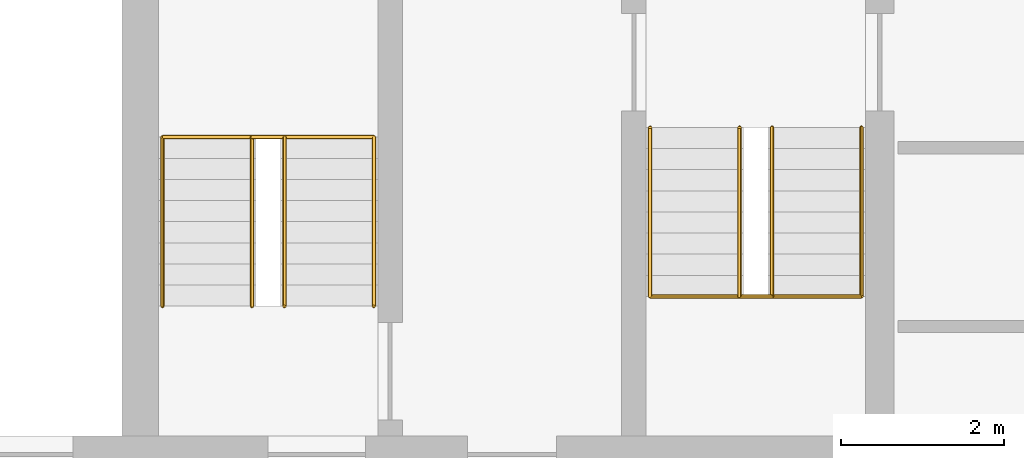
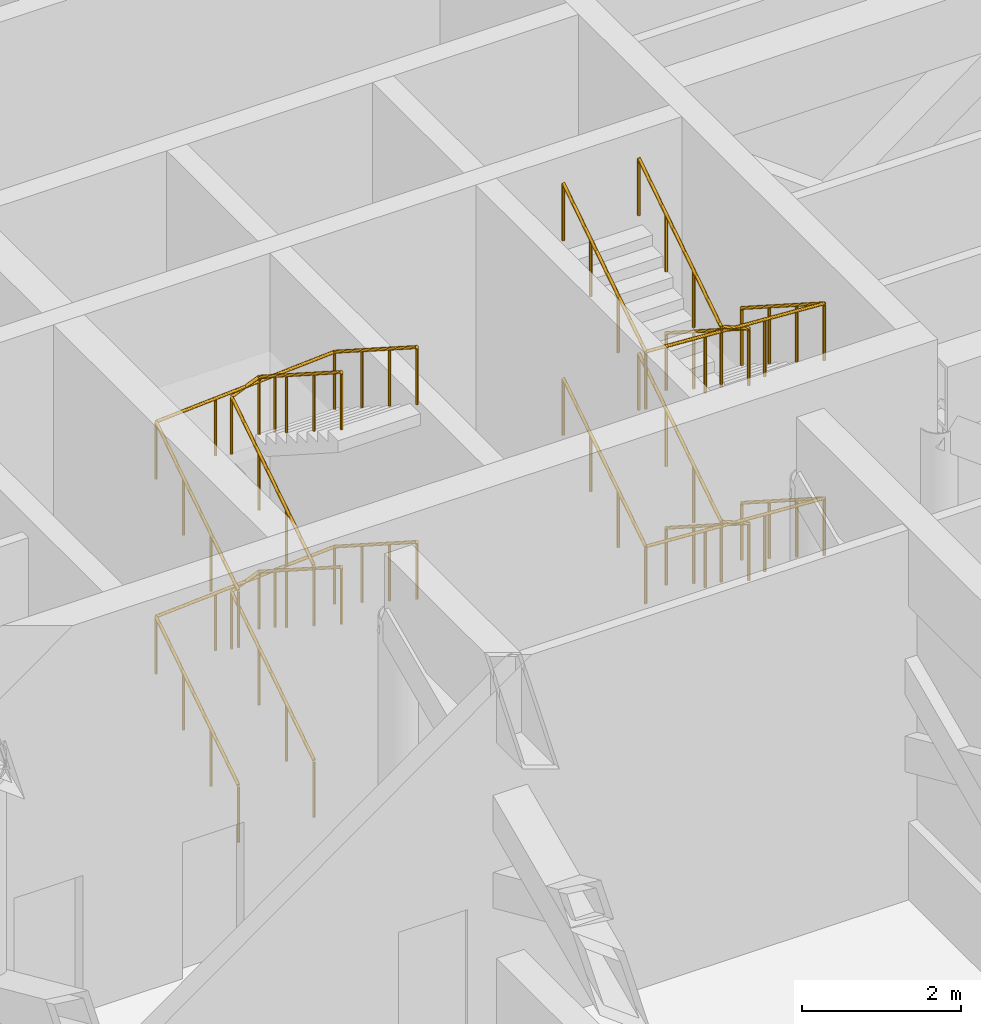
# One storey, part 17 of 20: 8 railings.
"""IFC4 building model written with IfcOpenShell, lengths in metres."""

from ifc_helpers import new_model, si_unit, direction, frame, origin, origin_2d, place, context, subcontext, project, spatial, circle, extrude, material, type_object, element, save


model = new_model("IFC4")

# Units and contexts
model_context = context("Model", 3, precision=1e-05, world=origin(), true_north=direction((0.0, 1.0)))
body_context = subcontext(model_context, "Body", "Model", "MODEL_VIEW")
ifc_project = project(units=[si_unit("LENGTHUNIT", "METRE"), si_unit("AREAUNIT", "SQUARE_METRE"), si_unit("VOLUMEUNIT", "CUBIC_METRE"), si_unit("PLANEANGLEUNIT", "RADIAN"), si_unit("MASSUNIT", "GRAM", prefix="KILO")], contexts=[model_context])

# Site, building, storey
site_placement = place(None, origin())
site = spatial("IfcSite", under=ifc_project, at=site_placement, CompositionType="ELEMENT")
building_placement = place(site_placement, origin())
building = spatial("IfcBuilding", under=site, at=building_placement, Name="Torana Hotel and Residences", CompositionType="ELEMENT")
storey_placement = place(building_placement, frame((0.0, 0.0, 177.60009765625)))
storey = spatial("IfcBuildingStorey", under=building, at=storey_placement, Name="L46", CompositionType="ELEMENT", Elevation=177.60009765625)

# Railings
ifc_material = material(Name="Stainless steel 316", Category="steel")
railing_type = type_object("IfcRailingType", Name="STAIR HANDRAIL HR1 900", PredefinedType="HANDRAIL", material=ifc_material)
railing_1_placement = place(storey_placement, frame((-10.39990234375, -10.75, 0.16650390625)))
element("IfcRailing", 1, at=railing_1_placement, inside=storey, type_object=railing_type, Name="Handrail ST1 L46 O1", PredefinedType="HANDRAIL", context=body_context, shape_type="SweptSolid", body=[
    extrude(circle(Radius=0.02392578125, at=origin_2d()), frame((0.0, 0.0, 0.8759765625), z_axis=(0.0, -0.841858418701, 0.539698436965), x_axis=(1.0, 0.0, 0.0)), (0.0, 0.0, 1.0), 2.470703125),
    extrude(circle(Radius=0.02392578125, at=origin_2d()), frame((0.0, -2.080078125, 2.20947265625), z_axis=(-0.997955880303, 0.0, 0.06390665825), x_axis=(0.0, -1.0, 0.0)), (0.0, 0.0, 1.0), 2.60546875),
    extrude(circle(Radius=0.02392578125, at=origin_2d()), frame((-2.60009765625, -2.080078125, 2.3759765625), z_axis=(0.0, 0.841858418701, 0.539698436965), x_axis=(-1.0, 0.0, 0.0)), (0.0, 0.0, 1.0), 2.470703125),
    extrude(circle(Radius=0.02099609375, at=origin_2d()), origin(), (0.0, 0.0, 1.0), 0.851806640625),
    extrude(circle(Radius=0.02099609375, at=origin_2d()), frame((0.0, -0.693359375, 0.444580078125)), (0.0, 0.0, 1.0), 0.851806640625),
    extrude(circle(Radius=0.02099609375, at=origin_2d()), frame((0.0, -1.38671875, 0.888916015625)), (0.0, 0.0, 1.0), 0.851806640625),
    extrude(circle(Radius=0.02099609375, at=origin_2d()), frame((0.0, -2.080078125, 1.33349609375)), (0.0, 0.0, 1.0), 0.851806640625),
    extrude(circle(Radius=0.02099609375, at=origin_2d()), frame((-0.86669921875, -2.080078125, 1.388916015625)), (0.0, 0.0, 1.0), 0.851806640625),
    extrude(circle(Radius=0.02099609375, at=origin_2d()), frame((-1.7333984375, -2.080078125, 1.444580078125)), (0.0, 0.0, 1.0), 0.851806640625),
    extrude(circle(Radius=0.02099609375, at=origin_2d()), frame((-2.60009765625, -2.080078125, 1.5)), (0.0, 0.0, 1.0), 0.851806640625),
    extrude(circle(Radius=0.02099609375, at=origin_2d()), frame((-2.60009765625, -1.38671875, 1.944580078125)), (0.0, 0.0, 1.0), 0.851806640625),
    extrude(circle(Radius=0.02099609375, at=origin_2d()), frame((-2.60009765625, -0.693359375, 2.388916015625)), (0.0, 0.0, 1.0), 0.851806640625),
    extrude(circle(Radius=0.02099609375, at=origin_2d()), frame((-2.60009765625, 0.0, 2.83349609375)), (0.0, 0.0, 1.0), 0.851806640625),
])
railing_2_placement = place(storey_placement, frame((-11.5, -10.75, 0.16650390625)))
element("IfcRailing", 2, at=railing_2_placement, inside=storey, type_object=railing_type, Name="Handrail ST1 L46 I1", PredefinedType="HANDRAIL", context=body_context, shape_type="SweptSolid", body=[
    extrude(circle(Radius=0.02392578125, at=origin_2d()), frame((0.0, 0.0, 0.8759765625), z_axis=(0.0, -0.841858418701, 0.539698436965), x_axis=(1.0, 0.0, 0.0)), (0.0, 0.0, 1.0), 2.470703125),
    extrude(circle(Radius=0.02392578125, at=origin_2d()), frame((0.0, -2.080078125, 2.20947265625), z_axis=(-0.9231769392, 0.0, 0.384375257957), x_axis=(0.0, -1.0, 0.0)), (0.0, 0.0, 1.0), 0.43310546875),
    extrude(circle(Radius=0.02392578125, at=origin_2d()), frame((-0.39990234375, -2.080078125, 2.3759765625), z_axis=(0.0, 0.841858418701, 0.539698436965), x_axis=(-1.0, 0.0, 0.0)), (0.0, 0.0, 1.0), 2.470703125),
    extrude(circle(Radius=0.02099609375, at=origin_2d()), origin(), (0.0, 0.0, 1.0), 0.851806640625),
    extrude(circle(Radius=0.02099609375, at=origin_2d()), frame((0.0, -0.693359375, 0.444580078125)), (0.0, 0.0, 1.0), 0.851806640625),
    extrude(circle(Radius=0.02099609375, at=origin_2d()), frame((0.0, -1.38671875, 0.888916015625)), (0.0, 0.0, 1.0), 0.851806640625),
    extrude(circle(Radius=0.02099609375, at=origin_2d()), frame((0.0, -2.080078125, 1.33349609375)), (0.0, 0.0, 1.0), 0.851806640625),
    extrude(circle(Radius=0.02099609375, at=origin_2d()), frame((-0.39990234375, -2.080078125, 1.5)), (0.0, 0.0, 1.0), 0.851806640625),
    extrude(circle(Radius=0.02099609375, at=origin_2d()), frame((-0.39990234375, -1.38671875, 1.944580078125)), (0.0, 0.0, 1.0), 0.851806640625),
    extrude(circle(Radius=0.02099609375, at=origin_2d()), frame((-0.39990234375, -0.693359375, 2.388916015625)), (0.0, 0.0, 1.0), 0.851806640625),
    extrude(circle(Radius=0.02099609375, at=origin_2d()), frame((-0.39990234375, 0.0, 2.83349609375)), (0.0, 0.0, 1.0), 0.851806640625),
])
railing_3_placement = place(storey_placement, frame((-10.39990234375, -10.75, 3.16650390625)))
element("IfcRailing", 3, at=railing_3_placement, inside=storey, type_object=railing_type, Name="Handrail ST1 L46 O2", PredefinedType="HANDRAIL", context=body_context, shape_type="SweptSolid", body=[
    extrude(circle(Radius=0.02392578125, at=origin_2d()), frame((0.0, 0.0, 0.8759765625), z_axis=(0.0, -0.841858418701, 0.539698436965), x_axis=(1.0, 0.0, 0.0)), (0.0, 0.0, 1.0), 2.470703125),
    extrude(circle(Radius=0.02392578125, at=origin_2d()), frame((0.0, -2.080078125, 2.20947265625), z_axis=(-0.997955880303, 0.0, 0.06390665825), x_axis=(0.0, -1.0, 0.0)), (0.0, 0.0, 1.0), 2.60546875),
    extrude(circle(Radius=0.02392578125, at=origin_2d()), frame((-2.60009765625, -2.080078125, 2.3759765625), z_axis=(0.0, 0.841858418701, 0.539698436965), x_axis=(-1.0, 0.0, 0.0)), (0.0, 0.0, 1.0), 2.470703125),
    extrude(circle(Radius=0.02099609375, at=origin_2d()), origin(), (0.0, 0.0, 1.0), 0.851806640625),
    extrude(circle(Radius=0.02099609375, at=origin_2d()), frame((0.0, -0.693359375, 0.444580078125)), (0.0, 0.0, 1.0), 0.851806640625),
    extrude(circle(Radius=0.02099609375, at=origin_2d()), frame((0.0, -1.38671875, 0.888916015625)), (0.0, 0.0, 1.0), 0.851806640625),
    extrude(circle(Radius=0.02099609375, at=origin_2d()), frame((0.0, -2.080078125, 1.33349609375)), (0.0, 0.0, 1.0), 0.851806640625),
    extrude(circle(Radius=0.02099609375, at=origin_2d()), frame((-0.86669921875, -2.080078125, 1.388916015625)), (0.0, 0.0, 1.0), 0.851806640625),
    extrude(circle(Radius=0.02099609375, at=origin_2d()), frame((-1.7333984375, -2.080078125, 1.444580078125)), (0.0, 0.0, 1.0), 0.851806640625),
    extrude(circle(Radius=0.02099609375, at=origin_2d()), frame((-2.60009765625, -2.080078125, 1.5)), (0.0, 0.0, 1.0), 0.851806640625),
    extrude(circle(Radius=0.02099609375, at=origin_2d()), frame((-2.60009765625, -1.38671875, 1.944580078125)), (0.0, 0.0, 1.0), 0.851806640625),
    extrude(circle(Radius=0.02099609375, at=origin_2d()), frame((-2.60009765625, -0.693359375, 2.388916015625)), (0.0, 0.0, 1.0), 0.851806640625),
    extrude(circle(Radius=0.02099609375, at=origin_2d()), frame((-2.60009765625, 0.0, 2.83349609375)), (0.0, 0.0, 1.0), 0.851806640625),
])
railing_4_placement = place(storey_placement, frame((-11.5, -10.75, 3.16650390625)))
element("IfcRailing", 4, at=railing_4_placement, inside=storey, type_object=railing_type, Name="Handrail ST1 L46 I2", PredefinedType="HANDRAIL", context=body_context, shape_type="SweptSolid", body=[
    extrude(circle(Radius=0.02392578125, at=origin_2d()), frame((0.0, 0.0, 0.8759765625), z_axis=(0.0, -0.841858418701, 0.539698436965), x_axis=(1.0, 0.0, 0.0)), (0.0, 0.0, 1.0), 2.470703125),
    extrude(circle(Radius=0.02392578125, at=origin_2d()), frame((0.0, -2.080078125, 2.20947265625), z_axis=(-0.9231769392, 0.0, 0.384375257957), x_axis=(0.0, -1.0, 0.0)), (0.0, 0.0, 1.0), 0.43310546875),
    extrude(circle(Radius=0.02392578125, at=origin_2d()), frame((-0.39990234375, -2.080078125, 2.3759765625), z_axis=(0.0, 0.841858418701, 0.539698436965), x_axis=(-1.0, 0.0, 0.0)), (0.0, 0.0, 1.0), 2.470703125),
    extrude(circle(Radius=0.02099609375, at=origin_2d()), origin(), (0.0, 0.0, 1.0), 0.851806640625),
    extrude(circle(Radius=0.02099609375, at=origin_2d()), frame((0.0, -0.693359375, 0.444580078125)), (0.0, 0.0, 1.0), 0.851806640625),
    extrude(circle(Radius=0.02099609375, at=origin_2d()), frame((0.0, -1.38671875, 0.888916015625)), (0.0, 0.0, 1.0), 0.851806640625),
    extrude(circle(Radius=0.02099609375, at=origin_2d()), frame((0.0, -2.080078125, 1.33349609375)), (0.0, 0.0, 1.0), 0.851806640625),
    extrude(circle(Radius=0.02099609375, at=origin_2d()), frame((-0.39990234375, -2.080078125, 1.5)), (0.0, 0.0, 1.0), 0.851806640625),
    extrude(circle(Radius=0.02099609375, at=origin_2d()), frame((-0.39990234375, -1.38671875, 1.944580078125)), (0.0, 0.0, 1.0), 0.851806640625),
    extrude(circle(Radius=0.02099609375, at=origin_2d()), frame((-0.39990234375, -0.693359375, 2.388916015625)), (0.0, 0.0, 1.0), 0.851806640625),
    extrude(circle(Radius=0.02099609375, at=origin_2d()), frame((-0.39990234375, 0.0, 2.83349609375)), (0.0, 0.0, 1.0), 0.851806640625),
])
railing_5_placement = place(storey_placement, frame((-19.0, -12.949951171875, 0.16650390625)))
element("IfcRailing", 5, at=railing_5_placement, inside=storey, type_object=railing_type, Name="Handrail ST2 L46 O1", PredefinedType="HANDRAIL", context=body_context, shape_type="SweptSolid", body=[
    extrude(circle(Radius=0.02392578125, at=origin_2d()), frame((0.0, 0.0, 0.8759765625), z_axis=(0.0, 0.841829634381, 0.539743334075), x_axis=(-1.0, 0.0, 0.0)), (0.0, 0.0, 1.0), 2.470703125),
    extrude(circle(Radius=0.02392578125, at=origin_2d()), frame((0.0, 2.079833984375, 2.20947265625), z_axis=(0.997955880303, 0.0, 0.06390665825), x_axis=(0.0, 1.0, 0.0)), (0.0, 0.0, 1.0), 2.60546875),
    extrude(circle(Radius=0.02392578125, at=origin_2d()), frame((2.60009765625, 2.079833984375, 2.3759765625), z_axis=(0.0, -0.841829634381, 0.539743334075), x_axis=(1.0, 0.0, 0.0)), (0.0, 0.0, 1.0), 2.470703125),
    extrude(circle(Radius=0.02099609375, at=origin_2d()), origin(), (0.0, 0.0, 1.0), 0.851806640625),
    extrude(circle(Radius=0.02099609375, at=origin_2d()), frame((0.0, 0.693359375, 0.444580078125)), (0.0, 0.0, 1.0), 0.851806640625),
    extrude(circle(Radius=0.02099609375, at=origin_2d()), frame((0.0, 1.386474609375, 0.888916015625)), (0.0, 0.0, 1.0), 0.851806640625),
    extrude(circle(Radius=0.02099609375, at=origin_2d()), frame((0.0, 2.079833984375, 1.33349609375)), (0.0, 0.0, 1.0), 0.851806640625),
    extrude(circle(Radius=0.02099609375, at=origin_2d()), frame((0.86669921875, 2.079833984375, 1.388916015625)), (0.0, 0.0, 1.0), 0.851806640625),
    extrude(circle(Radius=0.02099609375, at=origin_2d()), frame((1.7333984375, 2.079833984375, 1.444580078125)), (0.0, 0.0, 1.0), 0.851806640625),
    extrude(circle(Radius=0.02099609375, at=origin_2d()), frame((2.60009765625, 2.079833984375, 1.5)), (0.0, 0.0, 1.0), 0.851806640625),
    extrude(circle(Radius=0.02099609375, at=origin_2d()), frame((2.60009765625, 1.386474609375, 1.944580078125)), (0.0, 0.0, 1.0), 0.851806640625),
    extrude(circle(Radius=0.02099609375, at=origin_2d()), frame((2.60009765625, 0.693359375, 2.388916015625)), (0.0, 0.0, 1.0), 0.851806640625),
    extrude(circle(Radius=0.02099609375, at=origin_2d()), frame((2.60009765625, 0.0, 2.83349609375)), (0.0, 0.0, 1.0), 0.851806640625),
])
railing_6_placement = place(storey_placement, frame((-17.89990234375, -12.949951171875, 0.16650390625)))
element("IfcRailing", 6, at=railing_6_placement, inside=storey, type_object=railing_type, Name="Handrail ST2 L46 I1", PredefinedType="HANDRAIL", context=body_context, shape_type="SweptSolid", body=[
    extrude(circle(Radius=0.02392578125, at=origin_2d()), frame((0.0, 0.0, 0.8759765625), z_axis=(0.0, 0.841829634381, 0.539743334075), x_axis=(-1.0, 0.0, 0.0)), (0.0, 0.0, 1.0), 2.470703125),
    extrude(circle(Radius=0.02392578125, at=origin_2d()), frame((0.0, 2.079833984375, 2.20947265625), z_axis=(0.9231769392, 0.0, 0.384375257957), x_axis=(0.0, 1.0, 0.0)), (0.0, 0.0, 1.0), 0.43310546875),
    extrude(circle(Radius=0.02392578125, at=origin_2d()), frame((0.39990234375, 2.079833984375, 2.3759765625), z_axis=(0.0, -0.841829634381, 0.539743334075), x_axis=(1.0, 0.0, 0.0)), (0.0, 0.0, 1.0), 2.470703125),
    extrude(circle(Radius=0.02099609375, at=origin_2d()), origin(), (0.0, 0.0, 1.0), 0.851806640625),
    extrude(circle(Radius=0.02099609375, at=origin_2d()), frame((0.0, 0.693359375, 0.444580078125)), (0.0, 0.0, 1.0), 0.851806640625),
    extrude(circle(Radius=0.02099609375, at=origin_2d()), frame((0.0, 1.386474609375, 0.888916015625)), (0.0, 0.0, 1.0), 0.851806640625),
    extrude(circle(Radius=0.02099609375, at=origin_2d()), frame((0.0, 2.079833984375, 1.33349609375)), (0.0, 0.0, 1.0), 0.851806640625),
    extrude(circle(Radius=0.02099609375, at=origin_2d()), frame((0.39990234375, 2.079833984375, 1.5)), (0.0, 0.0, 1.0), 0.851806640625),
    extrude(circle(Radius=0.02099609375, at=origin_2d()), frame((0.39990234375, 1.386474609375, 1.944580078125)), (0.0, 0.0, 1.0), 0.851806640625),
    extrude(circle(Radius=0.02099609375, at=origin_2d()), frame((0.39990234375, 0.693359375, 2.388916015625)), (0.0, 0.0, 1.0), 0.851806640625),
    extrude(circle(Radius=0.02099609375, at=origin_2d()), frame((0.39990234375, 0.0, 2.83349609375)), (0.0, 0.0, 1.0), 0.851806640625),
])
railing_7_placement = place(storey_placement, frame((-19.0, -12.949951171875, 3.16650390625)))
element("IfcRailing", 7, at=railing_7_placement, inside=storey, type_object=railing_type, Name="Handrail ST2 L46 O2", PredefinedType="HANDRAIL", context=body_context, shape_type="SweptSolid", body=[
    extrude(circle(Radius=0.02392578125, at=origin_2d()), frame((0.0, 0.0, 0.8759765625), z_axis=(0.0, 0.841829634381, 0.539743334075), x_axis=(-1.0, 0.0, 0.0)), (0.0, 0.0, 1.0), 2.470703125),
    extrude(circle(Radius=0.02392578125, at=origin_2d()), frame((0.0, 2.079833984375, 2.20947265625), z_axis=(0.997955880303, 0.0, 0.06390665825), x_axis=(0.0, 1.0, 0.0)), (0.0, 0.0, 1.0), 2.60546875),
    extrude(circle(Radius=0.02392578125, at=origin_2d()), frame((2.60009765625, 2.079833984375, 2.3759765625), z_axis=(0.0, -0.841829634381, 0.539743334075), x_axis=(1.0, 0.0, 0.0)), (0.0, 0.0, 1.0), 2.470703125),
    extrude(circle(Radius=0.02099609375, at=origin_2d()), origin(), (0.0, 0.0, 1.0), 0.851806640625),
    extrude(circle(Radius=0.02099609375, at=origin_2d()), frame((0.0, 0.693359375, 0.444580078125)), (0.0, 0.0, 1.0), 0.851806640625),
    extrude(circle(Radius=0.02099609375, at=origin_2d()), frame((0.0, 1.386474609375, 0.888916015625)), (0.0, 0.0, 1.0), 0.851806640625),
    extrude(circle(Radius=0.02099609375, at=origin_2d()), frame((0.0, 2.079833984375, 1.33349609375)), (0.0, 0.0, 1.0), 0.851806640625),
    extrude(circle(Radius=0.02099609375, at=origin_2d()), frame((0.86669921875, 2.079833984375, 1.388916015625)), (0.0, 0.0, 1.0), 0.851806640625),
    extrude(circle(Radius=0.02099609375, at=origin_2d()), frame((1.7333984375, 2.079833984375, 1.444580078125)), (0.0, 0.0, 1.0), 0.851806640625),
    extrude(circle(Radius=0.02099609375, at=origin_2d()), frame((2.60009765625, 2.079833984375, 1.5)), (0.0, 0.0, 1.0), 0.851806640625),
    extrude(circle(Radius=0.02099609375, at=origin_2d()), frame((2.60009765625, 1.386474609375, 1.944580078125)), (0.0, 0.0, 1.0), 0.851806640625),
    extrude(circle(Radius=0.02099609375, at=origin_2d()), frame((2.60009765625, 0.693359375, 2.388916015625)), (0.0, 0.0, 1.0), 0.851806640625),
    extrude(circle(Radius=0.02099609375, at=origin_2d()), frame((2.60009765625, 0.0, 2.83349609375)), (0.0, 0.0, 1.0), 0.851806640625),
])
railing_8_placement = place(storey_placement, frame((-17.89990234375, -12.949951171875, 3.16650390625)))
element("IfcRailing", 8, at=railing_8_placement, inside=storey, type_object=railing_type, Name="Handrail ST2 L46 I2", PredefinedType="HANDRAIL", context=body_context, shape_type="SweptSolid", body=[
    extrude(circle(Radius=0.02392578125, at=origin_2d()), frame((0.0, 0.0, 0.8759765625), z_axis=(0.0, 0.841829634381, 0.539743334075), x_axis=(-1.0, 0.0, 0.0)), (0.0, 0.0, 1.0), 2.470703125),
    extrude(circle(Radius=0.02392578125, at=origin_2d()), frame((0.0, 2.079833984375, 2.20947265625), z_axis=(0.9231769392, 0.0, 0.384375257957), x_axis=(0.0, 1.0, 0.0)), (0.0, 0.0, 1.0), 0.43310546875),
    extrude(circle(Radius=0.02392578125, at=origin_2d()), frame((0.39990234375, 2.079833984375, 2.3759765625), z_axis=(0.0, -0.841829634381, 0.539743334075), x_axis=(1.0, 0.0, 0.0)), (0.0, 0.0, 1.0), 2.470703125),
    extrude(circle(Radius=0.02099609375, at=origin_2d()), origin(), (0.0, 0.0, 1.0), 0.851806640625),
    extrude(circle(Radius=0.02099609375, at=origin_2d()), frame((0.0, 0.693359375, 0.444580078125)), (0.0, 0.0, 1.0), 0.851806640625),
    extrude(circle(Radius=0.02099609375, at=origin_2d()), frame((0.0, 1.386474609375, 0.888916015625)), (0.0, 0.0, 1.0), 0.851806640625),
    extrude(circle(Radius=0.02099609375, at=origin_2d()), frame((0.0, 2.079833984375, 1.33349609375)), (0.0, 0.0, 1.0), 0.851806640625),
    extrude(circle(Radius=0.02099609375, at=origin_2d()), frame((0.39990234375, 2.079833984375, 1.5)), (0.0, 0.0, 1.0), 0.851806640625),
    extrude(circle(Radius=0.02099609375, at=origin_2d()), frame((0.39990234375, 1.386474609375, 1.944580078125)), (0.0, 0.0, 1.0), 0.851806640625),
    extrude(circle(Radius=0.02099609375, at=origin_2d()), frame((0.39990234375, 0.693359375, 2.388916015625)), (0.0, 0.0, 1.0), 0.851806640625),
    extrude(circle(Radius=0.02099609375, at=origin_2d()), frame((0.39990234375, 0.0, 2.83349609375)), (0.0, 0.0, 1.0), 0.851806640625),
])

save(model, "model.ifc")
